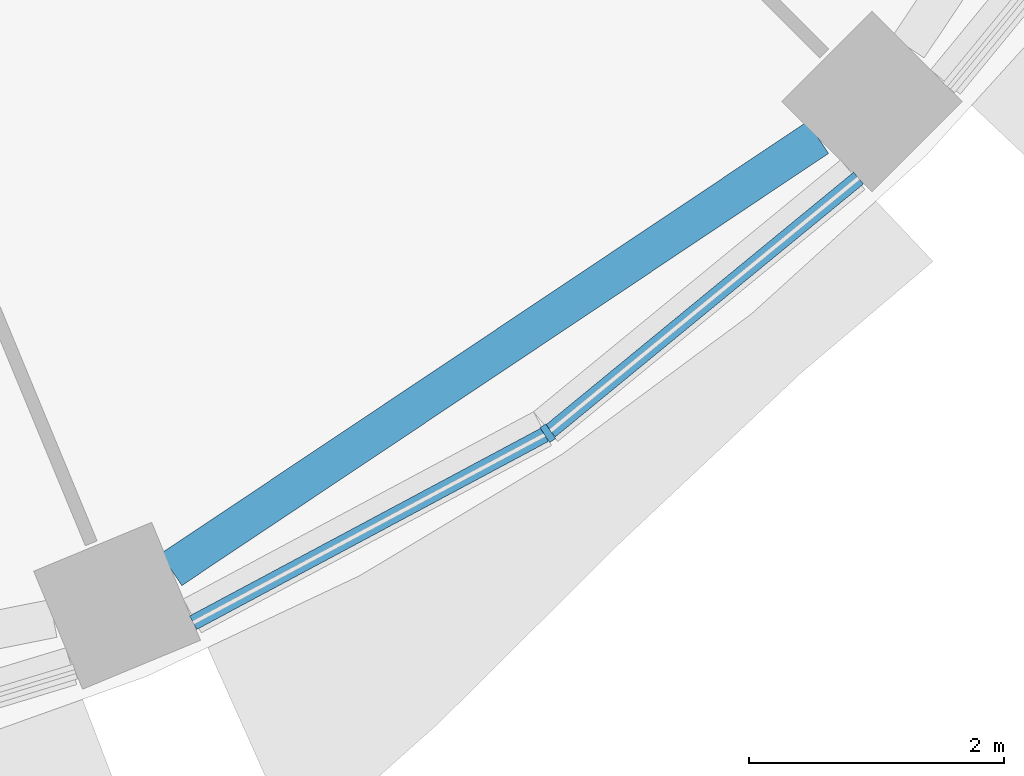
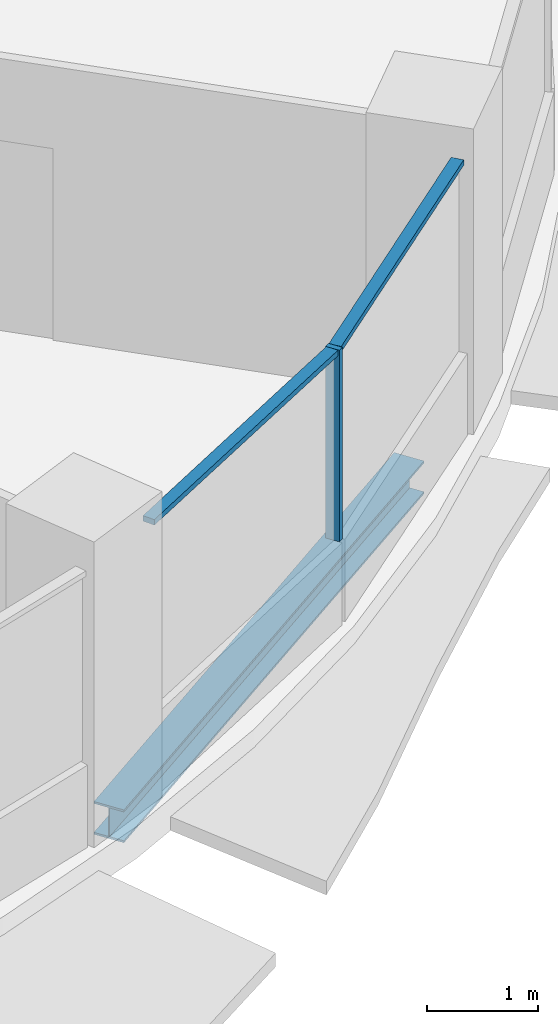
# One storey, part 3 of 15: 3 members, 1 beam, 1 element without a shape of its own.
"""IFC4 building model written with IfcOpenShell, lengths in metres."""

from ifc_helpers import new_model, si_unit, direction, frame, origin, origin_2d, place, context, subcontext, project, spatial, rectangle, i_section, extrude, material, material_profile, profile_set, type_object, element, aggregate, save


model = new_model("IFC4")

# Units and contexts
model_context = context("Model", 3, precision=1e-05, world=origin(), true_north=direction((0.0, 1.0)))
body_context = subcontext(model_context, "Body", "Model", "MODEL_VIEW")
ifc_project = project(units=[si_unit("LENGTHUNIT", "METRE"), si_unit("AREAUNIT", "SQUARE_METRE"), si_unit("VOLUMEUNIT", "CUBIC_METRE"), si_unit("PLANEANGLEUNIT", "RADIAN"), si_unit("MASSUNIT", "GRAM", prefix="KILO")], contexts=[model_context])

# Site, building, storey
site_placement = place(None, origin())
site = spatial("IfcSite", under=ifc_project, at=site_placement, CompositionType="ELEMENT")
building_placement = place(site_placement, origin())
building = spatial("IfcBuilding", under=site, at=building_placement, Name="Polderwave Tower", CompositionType="ELEMENT")
storey_placement = place(building_placement, frame((0.0, 0.0, 154.449951171875)))
storey = spatial("IfcBuildingStorey", under=building, at=storey_placement, Name="L41", CompositionType="ELEMENT", Elevation=154.449951171875)

# Curtain wall, members
ifc_material_1 = material(Name="Aluminium 6063-T6 and glass", Category="aluminium")
curtain_wall_type = type_object("IfcCurtainWallType", Name="Office ribbon glazing wall", PredefinedType="NOTDEFINED", material=ifc_material_1)
curtain_wall_placement = place(storey_placement, origin())
curtain_wall = element("IfcCurtainWall", 1, at=curtain_wall_placement, inside=storey, type_object=curtain_wall_type, Name="CW3 L41 13", PredefinedType="NOTDEFINED")
ifc_material_2 = material(Name="Aluminium 6063-T6", Category="aluminium")
ifc_material_profile_1 = material_profile(ifc_material_2, rectangle(XDim=0.139892578125, YDim=0.054931640625, at=origin_2d()), Name="AL 55x140")
ifc_profile_set_1 = profile_set([ifc_material_profile_1], Name="Aluminium 6063-T6")
member_type_1 = type_object("IfcMemberType", Name="Office ribbon glazing mullion 55x140", PredefinedType="MULLION", material=ifc_profile_set_1)
member_1_placement = place(storey_placement, frame((10.35009765625, -15.489990234375, 0.900146484375), z_axis=(0.0, 0.0, 1.0), x_axis=(-0.555548465006, 0.831484156812, 0.0)))
member_1 = element("IfcMember", 2, at=member_1_placement, type_object=member_type_1, Name="CW3 mullion 1", PredefinedType="MULLION", context=body_context, shape_type="SweptSolid", body=[
    extrude(rectangle(XDim=0.139892578125, YDim=0.054931640625, at=origin_2d()), origin(), (0.0, 0.0, 1.0), 2.099853515625),
])
ifc_material_profile_2 = material_profile(ifc_material_2, rectangle(XDim=0.1201171875, YDim=0.06005859375, at=origin_2d()), Name="AL 60x120")
ifc_profile_set_2 = profile_set([ifc_material_profile_2], Name="Aluminium 6063-T6")
member_type_2 = type_object("IfcMemberType", Name="Office ribbon glazing transom 60x120", PredefinedType="USERDEFINED", material=ifc_profile_set_2)
member_2_placement = place(storey_placement, frame((7.572021484375, -16.97509765625, 2.969970703125), z_axis=(0.881880665153, 0.471472684712, 0.0), x_axis=(-0.471472684712, 0.881880665153, 0.0)))
member_2 = element("IfcMember", 3, at=member_2_placement, type_object=member_type_2, Name="CW3 transom 1", ObjectType="TRANSOM", PredefinedType="USERDEFINED", context=body_context, shape_type="SweptSolid", body=[
    extrude(rectangle(XDim=0.1201171875, YDim=0.06005859375, at=origin_2d()), origin(), (0.0, 0.0, 1.0), 3.12255859375),
])
member_3_placement = place(storey_placement, frame((10.371337890625, -15.47265625, 2.969970703125), z_axis=(0.773019292913, 0.634382512988, 0.0), x_axis=(-0.634382512988, 0.773019292913, 0.0)))
member_3 = element("IfcMember", 4, at=member_3_placement, type_object=member_type_2, Name="CW3 transom 2", ObjectType="TRANSOM", PredefinedType="USERDEFINED", context=body_context, shape_type="SweptSolid", body=[
    extrude(rectangle(XDim=0.1201171875, YDim=0.06005859375, at=origin_2d()), origin(), (0.0, 0.0, 1.0), 3.122314453125),
])
aggregate(curtain_wall, [member_1, member_2, member_3])

# Beam
ifc_material_3 = material(Name="Steel S355", Category="steel")
ifc_material_profile_3 = material_profile(ifc_material_3, i_section(OverallWidth=0.300048828125, OverallDepth=0.360107421875, WebThickness=0.012451171875, FlangeThickness=0.0224609375, at=origin_2d()), Name="HE 360 B")
ifc_profile_set_3 = profile_set([ifc_material_profile_3], Name="Steel S355")
beam_type = type_object("IfcBeamType", Name="RING BEAM HE 360 B", PredefinedType="BEAM", material=ifc_profile_set_3)
beam_placement = place(storey_placement, frame((7.400146484375, -16.55908203125, -0.530029296875), z_axis=(0.831482776251, 0.555550531273, 0.0), x_axis=(-0.555550531273, 0.831482776251, 0.0)))
element("IfcBeam", 5, at=beam_placement, inside=storey, type_object=beam_type, Name="ST-RB-L41-13", PredefinedType="BEAM", context=body_context, shape_type="SweptSolid", body=[
    extrude(i_section(OverallWidth=0.300048828125, OverallDepth=0.360107421875, WebThickness=0.012451171875, FlangeThickness=0.0224609375, at=origin_2d()), origin(), (0.0, 0.0, 1.0), 6.093505859375),
])

save(model, "model.ifc")
